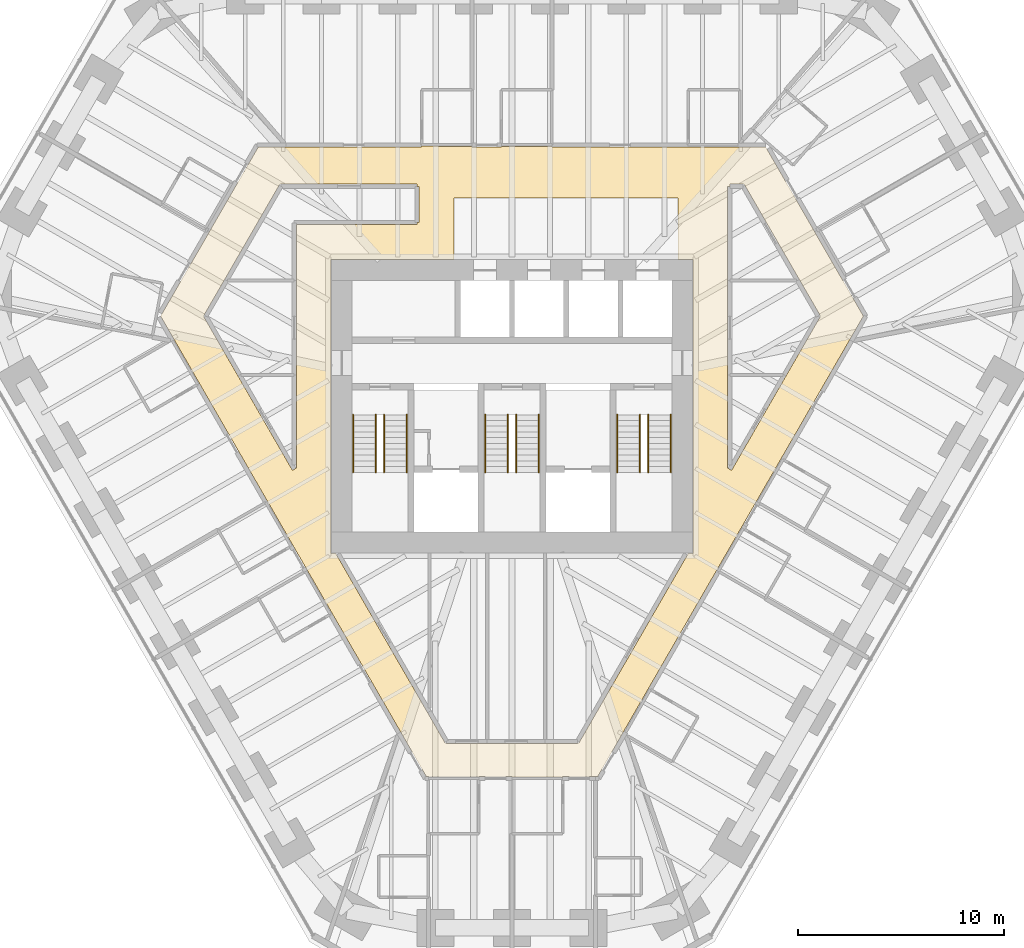
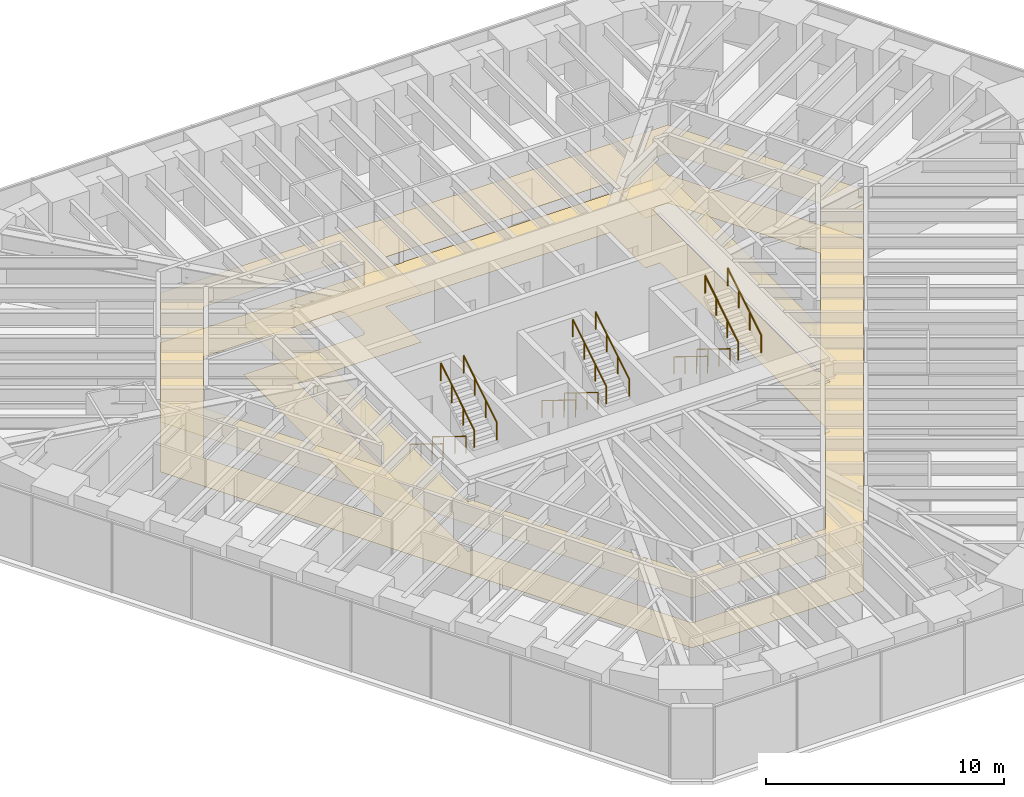
# One storey, part 16 of 16: 12 railings, 2 coverings.
"""IFC4 building model written with IfcOpenShell, lengths in metres."""

from ifc_helpers import new_model, si_unit, direction, frame, origin, origin_2d, place, context, subcontext, project, spatial, polyline, circle, outline, extrude, material, layer, layer_set, type_object, element, save


model = new_model("IFC4")

# Units and contexts
model_context = context("Model", 3, precision=1e-05, world=origin(), true_north=direction((0.0, 1.0)))
body_context = subcontext(model_context, "Body", "Model", "MODEL_VIEW")
ifc_project = project(units=[si_unit("LENGTHUNIT", "METRE"), si_unit("AREAUNIT", "SQUARE_METRE"), si_unit("VOLUMEUNIT", "CUBIC_METRE"), si_unit("PLANEANGLEUNIT", "RADIAN"), si_unit("MASSUNIT", "GRAM", prefix="KILO")], contexts=[model_context])

# Site, building, storey
site_placement = place(None, origin())
site = spatial("IfcSite", under=ifc_project, at=site_placement, CompositionType="ELEMENT")
building_placement = place(site_placement, origin())
building = spatial("IfcBuilding", under=site, at=building_placement, Name="Sandreach Pilgrim Tower", CompositionType="ELEMENT")
storey_placement = place(building_placement, frame((0.0, 0.0, 183.199951171875)))
storey = spatial("IfcBuildingStorey", under=building, at=storey_placement, Name="L45", CompositionType="ELEMENT", Elevation=183.199951171875)

# Coverings
ifc_material_1 = material(Name="Nylon carpet tile on the slab", Category="textile")
ifc_layer_1 = layer(ifc_material_1, 0.008056640625)
ifc_layer_set_1 = layer_set([ifc_layer_1], Name="Carpet tile")
covering_type_1 = type_object("IfcCoveringType", Name="Carpet tile", PredefinedType="FLOORING", material=ifc_layer_set_1)
covering_1_placement = place(storey_placement, origin())
element("IfcCovering", 1, at=covering_1_placement, inside=storey, type_object=covering_type_1, Name="Floor finish 45C Corridor 45", PredefinedType="FLOORING", context=body_context, shape_type="SweptSolid", body=[
    extrude(outline(polyline([(-17.0244140625, 4.369873046875), (-12.292236328125, 12.56005859375), (-4.3798828125, 12.56005859375), (-4.3798828125, 12.60009765625), (-1.929931640625, 12.59423828125), (-1.929931640625, 12.56005859375), (-0.52001953125, 12.56005859375), (-0.52001953125, 12.5908203125), (1.929931640625, 12.5849609375), (1.929931640625, 12.56005859375), (12.292236328125, 12.56005859375), (17.0244140625, 4.369873046875), (4.15234375, -17.929931640625), (2.449951171875, -17.929931640625), (2.449951171875, -17.969970703125), (0.0, -17.955078125), (0.0, -17.929931640625), (-1.60009765625, -17.929931640625), (-1.60009765625, -17.945556640625), (-4.15234375, -17.929931640625), (-17.0244140625, 4.369873046875)]), holes=[polyline([(10.449951171875, 10.659912109375), (10.449951171875, -2.9921875), (10.63671875, -3.10009765625), (14.945556640625, 4.370361328125), (11.247802734375, 10.760009765625), (10.56005859375, 10.760009765625), (10.56005859375, 10.66015625), (10.449951171875, 10.659912109375)]), polyline([(-3.227783203125, -16.330078125), (3.227783203125, -16.330078125), (8.542724609375, -7.1201171875), (8.77001953125, -7.1201171875), (8.77001953125, 7.1201171875), (8.050048828125, 7.1201171875), (8.050048828125, 10.10009765625), (-2.800048828125, 10.10009765625), (-2.800048828125, 7.1201171875), (-8.77001953125, 7.1201171875), (-8.77001953125, -7.1201171875), (-8.542724609375, -7.1201171875), (-3.227783203125, -16.330078125)]), polyline([(-14.945556640625, 4.370361328125), (-10.636474609375, -3.10009765625), (-10.449951171875, -2.9921875), (-10.449951171875, 8.800048828125), (-4.60009765625, 8.800048828125), (-4.60009765625, 8.909912109375), (-4.5, 8.909912109375), (-4.5, 10.64990234375), (-4.60009765625, 10.64990234375), (-4.60009765625, 10.760009765625), (-11.247802734375, 10.760009765625), (-14.945556640625, 4.370361328125)])]), origin(), (0.0, 0.0, 1.0), 0.008056640625),
])
ifc_material_2 = material(Name="Gypsum board suspended ceiling on a steel grid", Category="steel")
ifc_layer_2 = layer(ifc_material_2, 0.012939453125)
ifc_layer_set_2 = layer_set([ifc_layer_2], Name="Gypsum board suspended ceiling")
covering_type_2 = type_object("IfcCoveringType", Name="Gypsum board suspended ceiling", PredefinedType="CEILING", material=ifc_layer_set_2)
covering_2_placement = place(storey_placement, frame((0.0, 0.0, 2.550048828125)))
element("IfcCovering", 2, at=covering_2_placement, inside=storey, type_object=covering_type_2, Name="Ceiling 45C Corridor 45", PredefinedType="CEILING", context=body_context, shape_type="SweptSolid", body=[
    extrude(outline(polyline([(-17.0244140625, 4.369873046875), (-12.292236328125, 12.56005859375), (-4.3798828125, 12.56005859375), (-4.3798828125, 12.60009765625), (-1.929931640625, 12.59423828125), (-1.929931640625, 12.56005859375), (-0.52001953125, 12.56005859375), (-0.52001953125, 12.5908203125), (1.929931640625, 12.5849609375), (1.929931640625, 12.56005859375), (12.292236328125, 12.56005859375), (17.0244140625, 4.369873046875), (4.15234375, -17.929931640625), (2.449951171875, -17.929931640625), (2.449951171875, -17.969970703125), (0.0, -17.955078125), (0.0, -17.929931640625), (-1.60009765625, -17.929931640625), (-1.60009765625, -17.945556640625), (-4.15234375, -17.929931640625), (-17.0244140625, 4.369873046875)]), holes=[polyline([(10.449951171875, 10.659912109375), (10.449951171875, -2.9921875), (10.63671875, -3.10009765625), (14.945556640625, 4.370361328125), (11.247802734375, 10.760009765625), (10.56005859375, 10.760009765625), (10.56005859375, 10.66015625), (10.449951171875, 10.659912109375)]), polyline([(-3.227783203125, -16.330078125), (3.227783203125, -16.330078125), (8.542724609375, -7.1201171875), (8.77001953125, -7.1201171875), (8.77001953125, 7.1201171875), (8.050048828125, 7.1201171875), (8.050048828125, 10.10009765625), (-2.800048828125, 10.10009765625), (-2.800048828125, 7.1201171875), (-8.77001953125, 7.1201171875), (-8.77001953125, -7.1201171875), (-8.542724609375, -7.1201171875), (-3.227783203125, -16.330078125)]), polyline([(-14.945556640625, 4.370361328125), (-10.636474609375, -3.10009765625), (-10.449951171875, -2.9921875), (-10.449951171875, 8.800048828125), (-4.60009765625, 8.800048828125), (-4.60009765625, 8.909912109375), (-4.5, 8.909912109375), (-4.5, 10.64990234375), (-4.60009765625, 10.64990234375), (-4.60009765625, 10.760009765625), (-11.247802734375, 10.760009765625), (-14.945556640625, 4.370361328125)])]), origin(), (0.0, 0.0, 1.0), 0.012939453125),
])

# Railings
ifc_material_3 = material(Name="Stainless steel tube", Category="steel")
railing_type = type_object("IfcRailingType", Name="Stair handrail", PredefinedType="HANDRAIL", material=ifc_material_3)
for number, where, name in (
    (3, (-6.60009765625, -0.39990234375, 0.1728515625), "Handrail ST1 L45 flight 1"),
    (4, (-7.699951171875, -0.39990234375, 0.1728515625), "Handrail ST1 L45 flight 1"),
):
    element("IfcRailing", number, at=place(storey_placement, frame(where)), inside=storey, type_object=railing_type, Name=name, PredefinedType="HANDRAIL", context=body_context, shape_type="SweptSolid", body=[
        extrude(circle(Radius=0.02392578125, at=origin_2d()), frame((0.0, 0.0, 0.8759765625), z_axis=(0.0, -0.851089632645, 0.525020415988), x_axis=(1.0, 0.0, 0.0)), (0.0, 0.0, 1.0), 3.2900390625),
        extrude(circle(Radius=0.02099609375, at=origin_2d()), origin(), (0.0, 0.0, 1.0), 0.851806640625),
        extrude(circle(Radius=0.02099609375, at=origin_2d()), frame((0.0, -0.933349609375, 0.57568359375)), (0.0, 0.0, 1.0), 0.851806640625),
        extrude(circle(Radius=0.02099609375, at=origin_2d()), frame((0.0, -1.86669921875, 1.151611328125)), (0.0, 0.0, 1.0), 0.851806640625),
        extrude(circle(Radius=0.02099609375, at=origin_2d()), frame((0.0, -2.800048828125, 1.727294921875)), (0.0, 0.0, 1.0), 0.851806640625),
    ])
for number, where, name in (
    (5, (-6.199951171875, -3.199951171875, 2.07275390625), "Handrail ST1 L45 flight 2"),
    (6, (-5.10009765625, -3.199951171875, 2.07275390625), "Handrail ST1 L45 flight 2"),
):
    element("IfcRailing", number, at=place(storey_placement, frame(where)), inside=storey, type_object=railing_type, Name=name, PredefinedType="HANDRAIL", context=body_context, shape_type="SweptSolid", body=[
        extrude(circle(Radius=0.02392578125, at=origin_2d()), frame((0.0, 0.0, 0.8759765625), z_axis=(0.0, 0.851089632645, 0.525020415988), x_axis=(-1.0, 0.0, 0.0)), (0.0, 0.0, 1.0), 3.2900390625),
        extrude(circle(Radius=0.02099609375, at=origin_2d()), origin(), (0.0, 0.0, 1.0), 0.851806640625),
        extrude(circle(Radius=0.02099609375, at=origin_2d()), frame((0.0, 0.933349609375, 0.57568359375)), (0.0, 0.0, 1.0), 0.851806640625),
        extrude(circle(Radius=0.02099609375, at=origin_2d()), frame((0.0, 1.86669921875, 1.151611328125)), (0.0, 0.0, 1.0), 0.851806640625),
        extrude(circle(Radius=0.02099609375, at=origin_2d()), frame((0.0, 2.800048828125, 1.727294921875)), (0.0, 0.0, 1.0), 0.851806640625),
    ])
for number, where, name in (
    (7, (-0.199951171875, -0.39990234375, 0.1728515625), "Handrail ST3 L45 flight 1"),
    (8, (-1.300048828125, -0.39990234375, 0.1728515625), "Handrail ST3 L45 flight 1"),
):
    element("IfcRailing", number, at=place(storey_placement, frame(where)), inside=storey, type_object=railing_type, Name=name, PredefinedType="HANDRAIL", context=body_context, shape_type="SweptSolid", body=[
        extrude(circle(Radius=0.02392578125, at=origin_2d()), frame((0.0, 0.0, 0.8759765625), z_axis=(0.0, -0.851089632645, 0.525020415988), x_axis=(1.0, 0.0, 0.0)), (0.0, 0.0, 1.0), 3.2900390625),
        extrude(circle(Radius=0.02099609375, at=origin_2d()), origin(), (0.0, 0.0, 1.0), 0.851806640625),
        extrude(circle(Radius=0.02099609375, at=origin_2d()), frame((0.0, -0.933349609375, 0.57568359375)), (0.0, 0.0, 1.0), 0.851806640625),
        extrude(circle(Radius=0.02099609375, at=origin_2d()), frame((0.0, -1.86669921875, 1.151611328125)), (0.0, 0.0, 1.0), 0.851806640625),
        extrude(circle(Radius=0.02099609375, at=origin_2d()), frame((0.0, -2.800048828125, 1.727294921875)), (0.0, 0.0, 1.0), 0.851806640625),
    ])
for number, where, name in (
    (9, (0.199951171875, -3.199951171875, 2.07275390625), "Handrail ST3 L45 flight 2"),
    (10, (1.300048828125, -3.199951171875, 2.07275390625), "Handrail ST3 L45 flight 2"),
):
    element("IfcRailing", number, at=place(storey_placement, frame(where)), inside=storey, type_object=railing_type, Name=name, PredefinedType="HANDRAIL", context=body_context, shape_type="SweptSolid", body=[
        extrude(circle(Radius=0.02392578125, at=origin_2d()), frame((0.0, 0.0, 0.8759765625), z_axis=(0.0, 0.851089632645, 0.525020415988), x_axis=(-1.0, 0.0, 0.0)), (0.0, 0.0, 1.0), 3.2900390625),
        extrude(circle(Radius=0.02099609375, at=origin_2d()), origin(), (0.0, 0.0, 1.0), 0.851806640625),
        extrude(circle(Radius=0.02099609375, at=origin_2d()), frame((0.0, 0.933349609375, 0.57568359375)), (0.0, 0.0, 1.0), 0.851806640625),
        extrude(circle(Radius=0.02099609375, at=origin_2d()), frame((0.0, 1.86669921875, 1.151611328125)), (0.0, 0.0, 1.0), 0.851806640625),
        extrude(circle(Radius=0.02099609375, at=origin_2d()), frame((0.0, 2.800048828125, 1.727294921875)), (0.0, 0.0, 1.0), 0.851806640625),
    ])
for number, where, name in (
    (11, (6.199951171875, -0.39990234375, 0.1728515625), "Handrail ST2 L45 flight 1"),
    (12, (5.10009765625, -0.39990234375, 0.1728515625), "Handrail ST2 L45 flight 1"),
):
    element("IfcRailing", number, at=place(storey_placement, frame(where)), inside=storey, type_object=railing_type, Name=name, PredefinedType="HANDRAIL", context=body_context, shape_type="SweptSolid", body=[
        extrude(circle(Radius=0.02392578125, at=origin_2d()), frame((0.0, 0.0, 0.8759765625), z_axis=(0.0, -0.851089632645, 0.525020415988), x_axis=(1.0, 0.0, 0.0)), (0.0, 0.0, 1.0), 3.2900390625),
        extrude(circle(Radius=0.02099609375, at=origin_2d()), origin(), (0.0, 0.0, 1.0), 0.851806640625),
        extrude(circle(Radius=0.02099609375, at=origin_2d()), frame((0.0, -0.933349609375, 0.57568359375)), (0.0, 0.0, 1.0), 0.851806640625),
        extrude(circle(Radius=0.02099609375, at=origin_2d()), frame((0.0, -1.86669921875, 1.151611328125)), (0.0, 0.0, 1.0), 0.851806640625),
        extrude(circle(Radius=0.02099609375, at=origin_2d()), frame((0.0, -2.800048828125, 1.727294921875)), (0.0, 0.0, 1.0), 0.851806640625),
    ])
for number, where, name in (
    (13, (6.60009765625, -3.199951171875, 2.07275390625), "Handrail ST2 L45 flight 2"),
    (14, (7.699951171875, -3.199951171875, 2.07275390625), "Handrail ST2 L45 flight 2"),
):
    element("IfcRailing", number, at=place(storey_placement, frame(where)), inside=storey, type_object=railing_type, Name=name, PredefinedType="HANDRAIL", context=body_context, shape_type="SweptSolid", body=[
        extrude(circle(Radius=0.02392578125, at=origin_2d()), frame((0.0, 0.0, 0.8759765625), z_axis=(0.0, 0.851089632645, 0.525020415988), x_axis=(-1.0, 0.0, 0.0)), (0.0, 0.0, 1.0), 3.2900390625),
        extrude(circle(Radius=0.02099609375, at=origin_2d()), origin(), (0.0, 0.0, 1.0), 0.851806640625),
        extrude(circle(Radius=0.02099609375, at=origin_2d()), frame((0.0, 0.933349609375, 0.57568359375)), (0.0, 0.0, 1.0), 0.851806640625),
        extrude(circle(Radius=0.02099609375, at=origin_2d()), frame((0.0, 1.86669921875, 1.151611328125)), (0.0, 0.0, 1.0), 0.851806640625),
        extrude(circle(Radius=0.02099609375, at=origin_2d()), frame((0.0, 2.800048828125, 1.727294921875)), (0.0, 0.0, 1.0), 0.851806640625),
    ])

save(model, "model.ifc")
